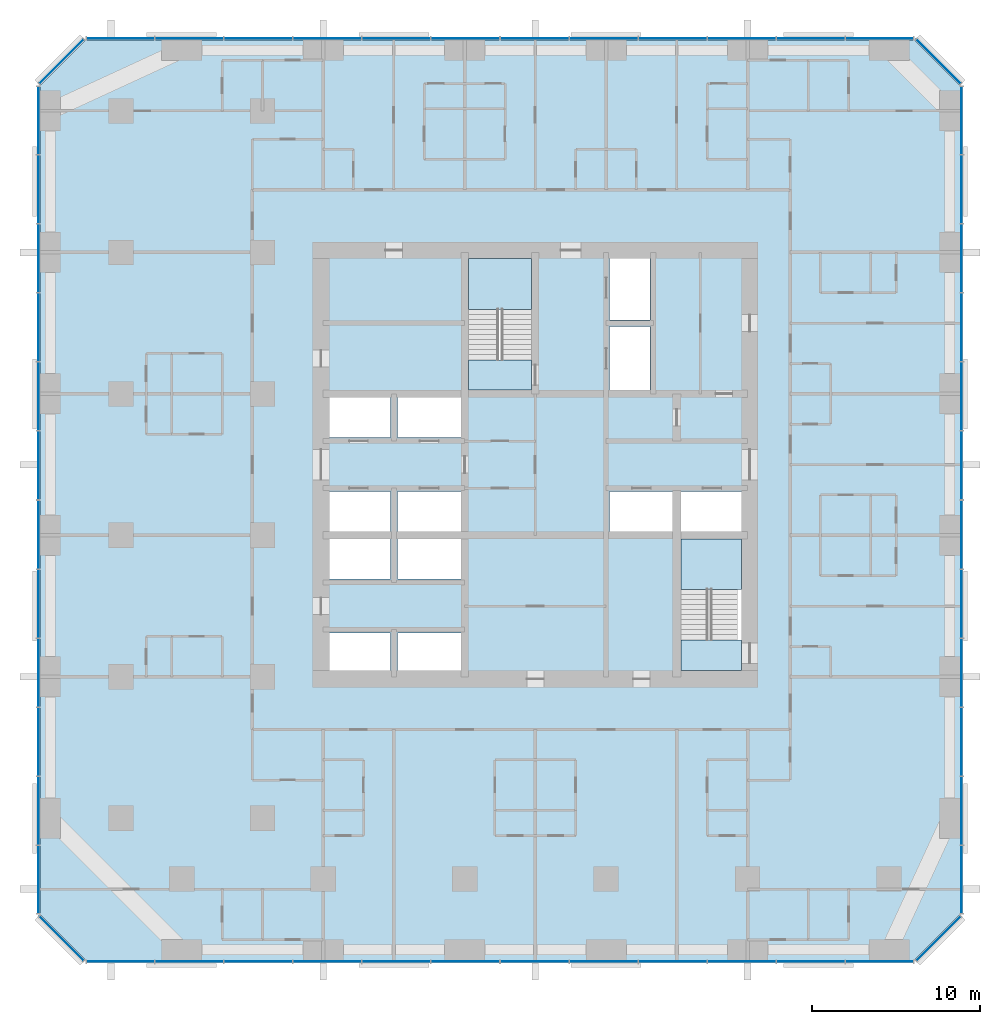
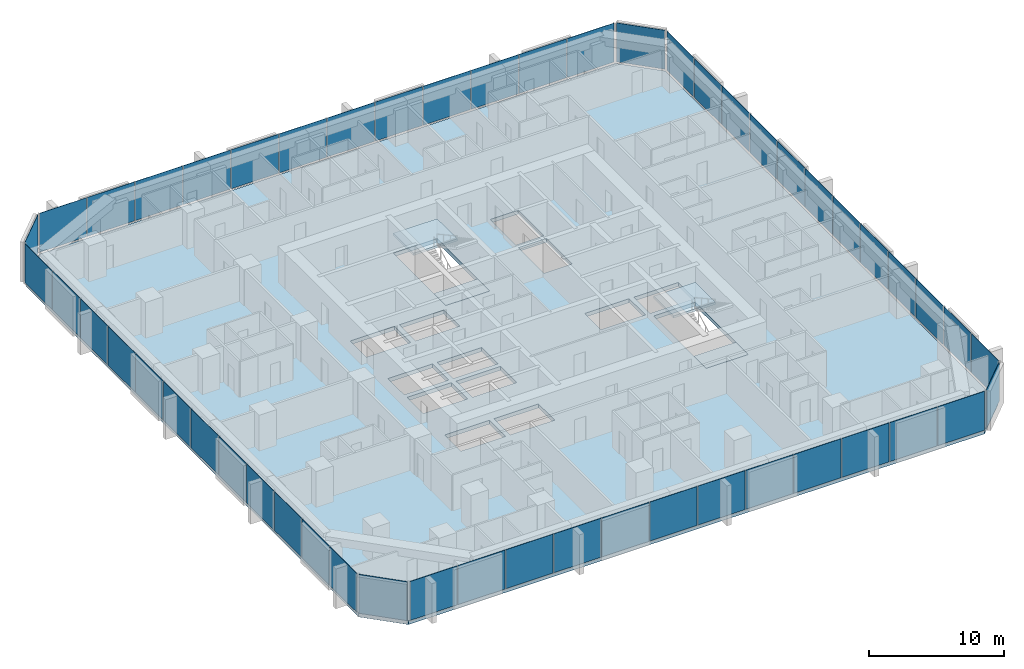
# One storey, part 7 of 14: 52 plates, 5 slabs, 10 elements without a shape of their own.
"""IFC4 building model written with IfcOpenShell, lengths in metres."""

from ifc_helpers import new_model, si_unit, direction, frame, origin, origin_2d, place, context, subcontext, project, spatial, polyline, rectangle, outline, extrude, material, layer, layer_set, type_object, element, aggregate, save


model = new_model("IFC4")

# Units and contexts
model_context = context("Model", 3, precision=1e-05, world=origin(), true_north=direction((0.0, 1.0)))
body_context = subcontext(model_context, "Body", "Model", "MODEL_VIEW")
ifc_project = project(units=[si_unit("LENGTHUNIT", "METRE"), si_unit("AREAUNIT", "SQUARE_METRE"), si_unit("VOLUMEUNIT", "CUBIC_METRE"), si_unit("PLANEANGLEUNIT", "RADIAN"), si_unit("MASSUNIT", "GRAM", prefix="KILO")], contexts=[model_context])

# Site, building, storey
site_placement = place(None, origin())
site = spatial("IfcSite", under=ifc_project, at=site_placement, CompositionType="ELEMENT")
building_placement = place(site_placement, origin())
building = spatial("IfcBuilding", under=site, at=building_placement, Name="Dunama Terrace Hotel", CompositionType="ELEMENT")
storey_placement = place(building_placement, frame((0.0, 0.0, 129.60009765625)))
storey = spatial("IfcBuildingStorey", under=building, at=storey_placement, Name="L33", CompositionType="ELEMENT", Elevation=129.60009765625)

# Curtain wall, plates
ifc_material_1 = material(Name="Aluminium curtain wall system", Category="aluminium")
curtain_wall_type = type_object("IfcCurtainWallType", Name="Unitised fritted glass wall CW-B", PredefinedType="NOTDEFINED", material=ifc_material_1)
curtain_wall_1_placement = place(storey_placement, origin())
curtain_wall_1 = element("IfcCurtainWall", 1, at=curtain_wall_1_placement, inside=storey, type_object=curtain_wall_type, Name="Unitised fritted glass wall CW-B L33", PredefinedType="NOTDEFINED")
ifc_material_2 = material(Name="Laminated glass", Category="glass")
ifc_layer_1 = layer(ifc_material_2, 0.030029296875)
ifc_layer_set_1 = layer_set([ifc_layer_1], Name="CWB clear glass panel")
plate_type_1 = type_object("IfcPlateType", Name="CWB clear glass panel", PredefinedType="CURTAIN_PANEL", material=ifc_layer_set_1)
plate_1_placement = place(storey_placement, frame((12.949951171875, -0.110107421875, 0.079833984375), z_axis=(0.0, 0.0, 1.0), x_axis=(1.0, 0.0, 0.0)))
plate_1 = element("IfcPlate", 2, at=plate_1_placement, type_object=plate_type_1, Name="CWB clear glass panel", PredefinedType="CURTAIN_PANEL", context=body_context, shape_type="SweptSolid", body=[
    extrude(rectangle(XDim=4.034912109375, YDim=0.030029296875, at=origin_2d()), origin(), (0.0, 0.0, 1.0), 3.52001953125),
])
plate_2_placement = place(storey_placement, frame((25.25, -0.110107421875, 0.079833984375), z_axis=(0.0, 0.0, 1.0), x_axis=(1.0, 0.0, 0.0)))
plate_2 = element("IfcPlate", 3, at=plate_2_placement, type_object=plate_type_1, Name="CWB clear glass panel", PredefinedType="CURTAIN_PANEL", context=body_context, shape_type="SweptSolid", body=[
    extrude(rectangle(XDim=4.034912109375, YDim=0.030029296875, at=origin_2d()), origin(), (0.0, 0.0, 1.0), 3.52001953125),
])
plate_3_placement = place(storey_placement, frame((37.550048828125, -0.110107421875, 0.079833984375), z_axis=(0.0, 0.0, 1.0), x_axis=(1.0, 0.0, 0.0)))
plate_3 = element("IfcPlate", 4, at=plate_3_placement, type_object=plate_type_1, Name="CWB clear glass panel", PredefinedType="CURTAIN_PANEL", context=body_context, shape_type="SweptSolid", body=[
    extrude(rectangle(XDim=4.034912109375, YDim=0.030029296875, at=origin_2d()), origin(), (0.0, 0.0, 1.0), 3.52001953125),
])
plate_4_placement = place(storey_placement, frame((49.833984375, -0.110107421875, 0.079833984375), z_axis=(0.0, 0.0, 1.0), x_axis=(1.0, 0.0, 0.0)))
plate_4 = element("IfcPlate", 5, at=plate_4_placement, type_object=plate_type_1, Name="CWB clear glass panel", PredefinedType="CURTAIN_PANEL", context=body_context, shape_type="SweptSolid", body=[
    extrude(rectangle(XDim=4.00244140625, YDim=0.030029296875, at=origin_2d()), origin(), (0.0, 0.0, 1.0), 3.52001953125),
])

curtain_wall_2_placement = place(storey_placement, origin())
curtain_wall_2 = element("IfcCurtainWall", 6, at=curtain_wall_2_placement, inside=storey, type_object=curtain_wall_type, Name="Unitised fritted glass wall CW-B L33", PredefinedType="NOTDEFINED")
plate_5_placement = place(storey_placement, frame((54.7099609375, 8.85009765625, 0.079833984375), z_axis=(0.0, 0.0, 1.0), x_axis=(0.0, 1.0, 0.0)))
plate_5 = element("IfcPlate", 7, at=plate_5_placement, type_object=plate_type_1, Name="CWB clear glass panel", PredefinedType="CURTAIN_PANEL", context=body_context, shape_type="SweptSolid", body=[
    extrude(rectangle(XDim=4.034912109375, YDim=0.030029296875, at=origin_2d()), origin(), (0.0, 0.0, 1.0), 3.52001953125),
])
plate_6_placement = place(storey_placement, frame((54.7099609375, 21.14990234375, 0.079833984375), z_axis=(0.0, 0.0, 1.0), x_axis=(0.0, 1.0, 0.0)))
plate_6 = element("IfcPlate", 8, at=plate_6_placement, type_object=plate_type_1, Name="CWB clear glass panel", PredefinedType="CURTAIN_PANEL", context=body_context, shape_type="SweptSolid", body=[
    extrude(rectangle(XDim=4.034912109375, YDim=0.030029296875, at=origin_2d()), origin(), (0.0, 0.0, 1.0), 3.52001953125),
])
plate_7_placement = place(storey_placement, frame((54.7099609375, 33.449951171875, 0.079833984375), z_axis=(0.0, 0.0, 1.0), x_axis=(0.0, 1.0, 0.0)))
plate_7 = element("IfcPlate", 9, at=plate_7_placement, type_object=plate_type_1, Name="CWB clear glass panel", PredefinedType="CURTAIN_PANEL", context=body_context, shape_type="SweptSolid", body=[
    extrude(rectangle(XDim=4.034912109375, YDim=0.030029296875, at=origin_2d()), origin(), (0.0, 0.0, 1.0), 3.52001953125),
])
plate_8_placement = place(storey_placement, frame((54.7099609375, 45.75, 0.079833984375), z_axis=(0.0, 0.0, 1.0), x_axis=(0.0, 1.0, 0.0)))
plate_8 = element("IfcPlate", 10, at=plate_8_placement, type_object=plate_type_1, Name="CWB clear glass panel", PredefinedType="CURTAIN_PANEL", context=body_context, shape_type="SweptSolid", body=[
    extrude(rectangle(XDim=4.034912109375, YDim=0.030029296875, at=origin_2d()), origin(), (0.0, 0.0, 1.0), 3.52001953125),
])

curtain_wall_3_placement = place(storey_placement, origin())
curtain_wall_3 = element("IfcCurtainWall", 11, at=curtain_wall_3_placement, inside=storey, type_object=curtain_wall_type, Name="Unitised fritted glass wall CW-B L33", PredefinedType="NOTDEFINED")
plate_9_placement = place(storey_placement, frame((49.833984375, 54.7099609375, 0.079833984375), z_axis=(0.0, 0.0, 1.0), x_axis=(-1.0, 0.0, 0.0)))
plate_9 = element("IfcPlate", 12, at=plate_9_placement, type_object=plate_type_1, Name="CWB clear glass panel", PredefinedType="CURTAIN_PANEL", context=body_context, shape_type="SweptSolid", body=[
    extrude(rectangle(XDim=4.00244140625, YDim=0.030029296875, at=origin_2d()), origin(), (0.0, 0.0, 1.0), 3.52001953125),
])
plate_10_placement = place(storey_placement, frame((37.550048828125, 54.7099609375, 0.079833984375), z_axis=(0.0, 0.0, 1.0), x_axis=(-1.0, 0.0, 0.0)))
plate_10 = element("IfcPlate", 13, at=plate_10_placement, type_object=plate_type_1, Name="CWB clear glass panel", PredefinedType="CURTAIN_PANEL", context=body_context, shape_type="SweptSolid", body=[
    extrude(rectangle(XDim=4.034912109375, YDim=0.030029296875, at=origin_2d()), origin(), (0.0, 0.0, 1.0), 3.52001953125),
])
plate_11_placement = place(storey_placement, frame((25.25, 54.7099609375, 0.079833984375), z_axis=(0.0, 0.0, 1.0), x_axis=(-1.0, 0.0, 0.0)))
plate_11 = element("IfcPlate", 14, at=plate_11_placement, type_object=plate_type_1, Name="CWB clear glass panel", PredefinedType="CURTAIN_PANEL", context=body_context, shape_type="SweptSolid", body=[
    extrude(rectangle(XDim=4.034912109375, YDim=0.030029296875, at=origin_2d()), origin(), (0.0, 0.0, 1.0), 3.52001953125),
])
plate_12_placement = place(storey_placement, frame((12.949951171875, 54.7099609375, 0.079833984375), z_axis=(0.0, 0.0, 1.0), x_axis=(-1.0, 0.0, 0.0)))
plate_12 = element("IfcPlate", 15, at=plate_12_placement, type_object=plate_type_1, Name="CWB clear glass panel", PredefinedType="CURTAIN_PANEL", context=body_context, shape_type="SweptSolid", body=[
    extrude(rectangle(XDim=4.034912109375, YDim=0.030029296875, at=origin_2d()), origin(), (0.0, 0.0, 1.0), 3.52001953125),
])

# Curtain wall, plate
curtain_wall_4_placement = place(storey_placement, origin())
curtain_wall_4 = element("IfcCurtainWall", 16, at=curtain_wall_4_placement, inside=storey, type_object=curtain_wall_type, Name="Unitised fritted glass wall CW-B L33", PredefinedType="NOTDEFINED")
plate_13_placement = place(storey_placement, frame((1.27197265625, 53.327880859375, 0.079833984375), z_axis=(0.0, 0.0, 1.0), x_axis=(-0.707106781187, -0.707106781187, 0.0)))
plate_13 = element("IfcPlate", 17, at=plate_13_placement, type_object=plate_type_1, Name="CWB clear glass panel", PredefinedType="CURTAIN_PANEL", context=body_context, shape_type="SweptSolid", body=[
    extrude(rectangle(XDim=3.6884765625, YDim=0.030029296875, at=origin_2d()), origin(), (0.0, 0.0, 1.0), 3.52001953125),
])
aggregate(curtain_wall_4, [plate_13])

# Curtain wall, plates
curtain_wall_5_placement = place(storey_placement, origin())
curtain_wall_5 = element("IfcCurtainWall", 18, at=curtain_wall_5_placement, inside=storey, type_object=curtain_wall_type, Name="Unitised fritted glass wall CW-B L33", PredefinedType="NOTDEFINED")
plate_14_placement = place(storey_placement, frame((-0.110107421875, 41.64990234375, 0.079833984375), z_axis=(0.0, 0.0, 1.0), x_axis=(0.0, -1.0, 0.0)))
plate_14 = element("IfcPlate", 19, at=plate_14_placement, type_object=plate_type_1, Name="CWB clear glass panel", PredefinedType="CURTAIN_PANEL", context=body_context, shape_type="SweptSolid", body=[
    extrude(rectangle(XDim=4.034912109375, YDim=0.030029296875, at=origin_2d()), origin(), (0.0, 0.0, 1.0), 3.52001953125),
])
plate_15_placement = place(storey_placement, frame((-0.110107421875, 29.35009765625, 0.079833984375), z_axis=(0.0, 0.0, 1.0), x_axis=(0.0, -1.0, 0.0)))
plate_15 = element("IfcPlate", 20, at=plate_15_placement, type_object=plate_type_1, Name="CWB clear glass panel", PredefinedType="CURTAIN_PANEL", context=body_context, shape_type="SweptSolid", body=[
    extrude(rectangle(XDim=4.034912109375, YDim=0.030029296875, at=origin_2d()), origin(), (0.0, 0.0, 1.0), 3.52001953125),
])
plate_16_placement = place(storey_placement, frame((-0.110107421875, 17.050048828125, 0.079833984375), z_axis=(0.0, 0.0, 1.0), x_axis=(0.0, -1.0, 0.0)))
plate_16 = element("IfcPlate", 21, at=plate_16_placement, type_object=plate_type_1, Name="CWB clear glass panel", PredefinedType="CURTAIN_PANEL", context=body_context, shape_type="SweptSolid", body=[
    extrude(rectangle(XDim=4.034912109375, YDim=0.030029296875, at=origin_2d()), origin(), (0.0, 0.0, 1.0), 3.52001953125),
])
plate_17_placement = place(storey_placement, frame((-0.110107421875, 4.76611328125, 0.079833984375), z_axis=(0.0, 0.0, 1.0), x_axis=(0.0, -1.0, 0.0)))
plate_17 = element("IfcPlate", 22, at=plate_17_placement, type_object=plate_type_1, Name="CWB clear glass panel", PredefinedType="CURTAIN_PANEL", context=body_context, shape_type="SweptSolid", body=[
    extrude(rectangle(XDim=4.00244140625, YDim=0.030029296875, at=origin_2d()), origin(), (0.0, 0.0, 1.0), 3.52001953125),
])

# Plate
ifc_material_3 = material(Name="Fritted laminated glass", Category="glass")
ifc_layer_2 = layer(ifc_material_3, 0.030029296875)
ifc_layer_set_2 = layer_set([ifc_layer_2], Name="CWB fritted glass panel")
plate_type_2 = type_object("IfcPlateType", Name="CWB fritted glass panel", PredefinedType="CURTAIN_PANEL", material=ifc_layer_set_2)
plate_18_placement = place(storey_placement, frame((8.85009765625, -0.110107421875, 0.079833984375), z_axis=(0.0, 0.0, 1.0), x_axis=(1.0, 0.0, 0.0)))
plate_18 = element("IfcPlate", 23, at=plate_18_placement, type_object=plate_type_2, Name="CWB fritted glass panel", PredefinedType="CURTAIN_PANEL", context=body_context, shape_type="SweptSolid", body=[
    extrude(rectangle(XDim=4.034912109375, YDim=0.030029296875, at=origin_2d()), origin(), (0.0, 0.0, 1.0), 3.52001953125),
])

plate_19_placement = place(storey_placement, frame((21.14990234375, -0.110107421875, 0.079833984375), z_axis=(0.0, 0.0, 1.0), x_axis=(1.0, 0.0, 0.0)))
plate_19 = element("IfcPlate", 24, at=plate_19_placement, type_object=plate_type_2, Name="CWB fritted glass panel", PredefinedType="CURTAIN_PANEL", context=body_context, shape_type="SweptSolid", body=[
    extrude(rectangle(XDim=4.034912109375, YDim=0.030029296875, at=origin_2d()), origin(), (0.0, 0.0, 1.0), 3.52001953125),
])

plate_20_placement = place(storey_placement, frame((33.449951171875, -0.110107421875, 0.079833984375), z_axis=(0.0, 0.0, 1.0), x_axis=(1.0, 0.0, 0.0)))
plate_20 = element("IfcPlate", 25, at=plate_20_placement, type_object=plate_type_2, Name="CWB fritted glass panel", PredefinedType="CURTAIN_PANEL", context=body_context, shape_type="SweptSolid", body=[
    extrude(rectangle(XDim=4.034912109375, YDim=0.030029296875, at=origin_2d()), origin(), (0.0, 0.0, 1.0), 3.52001953125),
])

plate_21_placement = place(storey_placement, frame((45.75, -0.110107421875, 0.079833984375), z_axis=(0.0, 0.0, 1.0), x_axis=(1.0, 0.0, 0.0)))
plate_21 = element("IfcPlate", 26, at=plate_21_placement, type_object=plate_type_2, Name="CWB fritted glass panel", PredefinedType="CURTAIN_PANEL", context=body_context, shape_type="SweptSolid", body=[
    extrude(rectangle(XDim=4.034912109375, YDim=0.030029296875, at=origin_2d()), origin(), (0.0, 0.0, 1.0), 3.52001953125),
])

plate_22_placement = place(storey_placement, frame((54.7099609375, 4.76611328125, 0.079833984375), z_axis=(0.0, 0.0, 1.0), x_axis=(0.0, 1.0, 0.0)))
plate_22 = element("IfcPlate", 27, at=plate_22_placement, type_object=plate_type_2, Name="CWB fritted glass panel", PredefinedType="CURTAIN_PANEL", context=body_context, shape_type="SweptSolid", body=[
    extrude(rectangle(XDim=4.00244140625, YDim=0.030029296875, at=origin_2d()), origin(), (0.0, 0.0, 1.0), 3.52001953125),
])

plate_23_placement = place(storey_placement, frame((54.7099609375, 17.050048828125, 0.079833984375), z_axis=(0.0, 0.0, 1.0), x_axis=(0.0, 1.0, 0.0)))
plate_23 = element("IfcPlate", 28, at=plate_23_placement, type_object=plate_type_2, Name="CWB fritted glass panel", PredefinedType="CURTAIN_PANEL", context=body_context, shape_type="SweptSolid", body=[
    extrude(rectangle(XDim=4.034912109375, YDim=0.030029296875, at=origin_2d()), origin(), (0.0, 0.0, 1.0), 3.52001953125),
])

plate_24_placement = place(storey_placement, frame((54.7099609375, 29.35009765625, 0.079833984375), z_axis=(0.0, 0.0, 1.0), x_axis=(0.0, 1.0, 0.0)))
plate_24 = element("IfcPlate", 29, at=plate_24_placement, type_object=plate_type_2, Name="CWB fritted glass panel", PredefinedType="CURTAIN_PANEL", context=body_context, shape_type="SweptSolid", body=[
    extrude(rectangle(XDim=4.034912109375, YDim=0.030029296875, at=origin_2d()), origin(), (0.0, 0.0, 1.0), 3.52001953125),
])

plate_25_placement = place(storey_placement, frame((54.7099609375, 41.64990234375, 0.079833984375), z_axis=(0.0, 0.0, 1.0), x_axis=(0.0, 1.0, 0.0)))
plate_25 = element("IfcPlate", 30, at=plate_25_placement, type_object=plate_type_2, Name="CWB fritted glass panel", PredefinedType="CURTAIN_PANEL", context=body_context, shape_type="SweptSolid", body=[
    extrude(rectangle(XDim=4.034912109375, YDim=0.030029296875, at=origin_2d()), origin(), (0.0, 0.0, 1.0), 3.52001953125),
])

# Curtain wall, plate
curtain_wall_6_placement = place(storey_placement, origin())
curtain_wall_6 = element("IfcCurtainWall", 31, at=curtain_wall_6_placement, inside=storey, type_object=curtain_wall_type, Name="Unitised fritted glass wall CW-B L33", PredefinedType="NOTDEFINED")
plate_26_placement = place(storey_placement, frame((53.327880859375, 53.327880859375, 0.079833984375), z_axis=(0.0, 0.0, 1.0), x_axis=(-0.707106781187, 0.707106781187, 0.0)))
plate_26 = element("IfcPlate", 32, at=plate_26_placement, type_object=plate_type_2, Name="CWB fritted glass panel", PredefinedType="CURTAIN_PANEL", context=body_context, shape_type="SweptSolid", body=[
    extrude(rectangle(XDim=3.6884765625, YDim=0.030029296875, at=origin_2d()), origin(), (0.0, 0.0, 1.0), 3.52001953125),
])
aggregate(curtain_wall_6, [plate_26])

# Plate
plate_27_placement = place(storey_placement, frame((41.64990234375, 54.7099609375, 0.079833984375), z_axis=(0.0, 0.0, 1.0), x_axis=(-1.0, 0.0, 0.0)))
plate_27 = element("IfcPlate", 33, at=plate_27_placement, type_object=plate_type_2, Name="CWB fritted glass panel", PredefinedType="CURTAIN_PANEL", context=body_context, shape_type="SweptSolid", body=[
    extrude(rectangle(XDim=4.034912109375, YDim=0.030029296875, at=origin_2d()), origin(), (0.0, 0.0, 1.0), 3.52001953125),
])

plate_28_placement = place(storey_placement, frame((29.35009765625, 54.7099609375, 0.079833984375), z_axis=(0.0, 0.0, 1.0), x_axis=(-1.0, 0.0, 0.0)))
plate_28 = element("IfcPlate", 34, at=plate_28_placement, type_object=plate_type_2, Name="CWB fritted glass panel", PredefinedType="CURTAIN_PANEL", context=body_context, shape_type="SweptSolid", body=[
    extrude(rectangle(XDim=4.034912109375, YDim=0.030029296875, at=origin_2d()), origin(), (0.0, 0.0, 1.0), 3.52001953125),
])

plate_29_placement = place(storey_placement, frame((17.050048828125, 54.7099609375, 0.079833984375), z_axis=(0.0, 0.0, 1.0), x_axis=(-1.0, 0.0, 0.0)))
plate_29 = element("IfcPlate", 35, at=plate_29_placement, type_object=plate_type_2, Name="CWB fritted glass panel", PredefinedType="CURTAIN_PANEL", context=body_context, shape_type="SweptSolid", body=[
    extrude(rectangle(XDim=4.034912109375, YDim=0.030029296875, at=origin_2d()), origin(), (0.0, 0.0, 1.0), 3.52001953125),
])

plate_30_placement = place(storey_placement, frame((4.76611328125, 54.7099609375, 0.079833984375), z_axis=(0.0, 0.0, 1.0), x_axis=(-1.0, 0.0, 0.0)))
plate_30 = element("IfcPlate", 36, at=plate_30_placement, type_object=plate_type_2, Name="CWB fritted glass panel", PredefinedType="CURTAIN_PANEL", context=body_context, shape_type="SweptSolid", body=[
    extrude(rectangle(XDim=4.00244140625, YDim=0.030029296875, at=origin_2d()), origin(), (0.0, 0.0, 1.0), 3.52001953125),
])

plate_31_placement = place(storey_placement, frame((-0.110107421875, 45.75, 0.079833984375), z_axis=(0.0, 0.0, 1.0), x_axis=(0.0, -1.0, 0.0)))
plate_31 = element("IfcPlate", 37, at=plate_31_placement, type_object=plate_type_2, Name="CWB fritted glass panel", PredefinedType="CURTAIN_PANEL", context=body_context, shape_type="SweptSolid", body=[
    extrude(rectangle(XDim=4.034912109375, YDim=0.030029296875, at=origin_2d()), origin(), (0.0, 0.0, 1.0), 3.52001953125),
])

plate_32_placement = place(storey_placement, frame((-0.110107421875, 33.449951171875, 0.079833984375), z_axis=(0.0, 0.0, 1.0), x_axis=(0.0, -1.0, 0.0)))
plate_32 = element("IfcPlate", 38, at=plate_32_placement, type_object=plate_type_2, Name="CWB fritted glass panel", PredefinedType="CURTAIN_PANEL", context=body_context, shape_type="SweptSolid", body=[
    extrude(rectangle(XDim=4.034912109375, YDim=0.030029296875, at=origin_2d()), origin(), (0.0, 0.0, 1.0), 3.52001953125),
])

plate_33_placement = place(storey_placement, frame((-0.110107421875, 21.14990234375, 0.079833984375), z_axis=(0.0, 0.0, 1.0), x_axis=(0.0, -1.0, 0.0)))
plate_33 = element("IfcPlate", 39, at=plate_33_placement, type_object=plate_type_2, Name="CWB fritted glass panel", PredefinedType="CURTAIN_PANEL", context=body_context, shape_type="SweptSolid", body=[
    extrude(rectangle(XDim=4.034912109375, YDim=0.030029296875, at=origin_2d()), origin(), (0.0, 0.0, 1.0), 3.52001953125),
])

plate_34_placement = place(storey_placement, frame((-0.110107421875, 8.85009765625, 0.079833984375), z_axis=(0.0, 0.0, 1.0), x_axis=(0.0, -1.0, 0.0)))
plate_34 = element("IfcPlate", 40, at=plate_34_placement, type_object=plate_type_2, Name="CWB fritted glass panel", PredefinedType="CURTAIN_PANEL", context=body_context, shape_type="SweptSolid", body=[
    extrude(rectangle(XDim=4.034912109375, YDim=0.030029296875, at=origin_2d()), origin(), (0.0, 0.0, 1.0), 3.52001953125),
])

ifc_material_4 = material(Name="Laminated glass", Category="glass")
ifc_layer_3 = layer(ifc_material_4, 0.030029296875)
ifc_layer_set_3 = layer_set([ifc_layer_3], Name="CWB operable glass panel")
plate_type_3 = type_object("IfcPlateType", Name="CWB operable glass panel", PredefinedType="CURTAIN_PANEL", material=ifc_layer_set_3)
plate_35_placement = place(storey_placement, frame((4.76611328125, -0.110107421875, 0.079833984375), z_axis=(0.0, 0.0, 1.0), x_axis=(1.0, 0.0, 0.0)))
plate_35 = element("IfcPlate", 41, at=plate_35_placement, type_object=plate_type_3, Name="CWB operable glass panel", PredefinedType="CURTAIN_PANEL", context=body_context, shape_type="SweptSolid", body=[
    extrude(rectangle(XDim=4.00244140625, YDim=0.030029296875, at=origin_2d()), origin(), (0.0, 0.0, 1.0), 3.52001953125),
])

plate_36_placement = place(storey_placement, frame((17.050048828125, -0.110107421875, 0.079833984375), z_axis=(0.0, 0.0, 1.0), x_axis=(1.0, 0.0, 0.0)))
plate_36 = element("IfcPlate", 42, at=plate_36_placement, type_object=plate_type_3, Name="CWB operable glass panel", PredefinedType="CURTAIN_PANEL", context=body_context, shape_type="SweptSolid", body=[
    extrude(rectangle(XDim=4.034912109375, YDim=0.030029296875, at=origin_2d()), origin(), (0.0, 0.0, 1.0), 3.52001953125),
])

plate_37_placement = place(storey_placement, frame((29.35009765625, -0.110107421875, 0.079833984375), z_axis=(0.0, 0.0, 1.0), x_axis=(1.0, 0.0, 0.0)))
plate_37 = element("IfcPlate", 43, at=plate_37_placement, type_object=plate_type_3, Name="CWB operable glass panel", PredefinedType="CURTAIN_PANEL", context=body_context, shape_type="SweptSolid", body=[
    extrude(rectangle(XDim=4.034912109375, YDim=0.030029296875, at=origin_2d()), origin(), (0.0, 0.0, 1.0), 3.52001953125),
])

plate_38_placement = place(storey_placement, frame((41.64990234375, -0.110107421875, 0.079833984375), z_axis=(0.0, 0.0, 1.0), x_axis=(1.0, 0.0, 0.0)))
plate_38 = element("IfcPlate", 44, at=plate_38_placement, type_object=plate_type_3, Name="CWB operable glass panel", PredefinedType="CURTAIN_PANEL", context=body_context, shape_type="SweptSolid", body=[
    extrude(rectangle(XDim=4.034912109375, YDim=0.030029296875, at=origin_2d()), origin(), (0.0, 0.0, 1.0), 3.52001953125),
])

aggregate(curtain_wall_1, [plate_35, plate_18, plate_1, plate_36, plate_19, plate_2, plate_37, plate_20, plate_3, plate_38, plate_21, plate_4])

# Curtain wall, plate
curtain_wall_7_placement = place(storey_placement, origin())
curtain_wall_7 = element("IfcCurtainWall", 45, at=curtain_wall_7_placement, inside=storey, type_object=curtain_wall_type, Name="Unitised fritted glass wall CW-B L33", PredefinedType="NOTDEFINED")
plate_39_placement = place(storey_placement, frame((53.327880859375, 1.27197265625, 0.079833984375), z_axis=(0.0, 0.0, 1.0), x_axis=(0.707106781187, 0.707106781187, 0.0)))
plate_39 = element("IfcPlate", 46, at=plate_39_placement, type_object=plate_type_3, Name="CWB operable glass panel", PredefinedType="CURTAIN_PANEL", context=body_context, shape_type="SweptSolid", body=[
    extrude(rectangle(XDim=3.6884765625, YDim=0.030029296875, at=origin_2d()), origin(), (0.0, 0.0, 1.0), 3.52001953125),
])
aggregate(curtain_wall_7, [plate_39])

# Plate
plate_40_placement = place(storey_placement, frame((54.7099609375, 12.949951171875, 0.079833984375), z_axis=(0.0, 0.0, 1.0), x_axis=(0.0, 1.0, 0.0)))
plate_40 = element("IfcPlate", 47, at=plate_40_placement, type_object=plate_type_3, Name="CWB operable glass panel", PredefinedType="CURTAIN_PANEL", context=body_context, shape_type="SweptSolid", body=[
    extrude(rectangle(XDim=4.034912109375, YDim=0.030029296875, at=origin_2d()), origin(), (0.0, 0.0, 1.0), 3.52001953125),
])

plate_41_placement = place(storey_placement, frame((54.7099609375, 25.25, 0.079833984375), z_axis=(0.0, 0.0, 1.0), x_axis=(0.0, 1.0, 0.0)))
plate_41 = element("IfcPlate", 48, at=plate_41_placement, type_object=plate_type_3, Name="CWB operable glass panel", PredefinedType="CURTAIN_PANEL", context=body_context, shape_type="SweptSolid", body=[
    extrude(rectangle(XDim=4.034912109375, YDim=0.030029296875, at=origin_2d()), origin(), (0.0, 0.0, 1.0), 3.52001953125),
])

plate_42_placement = place(storey_placement, frame((54.7099609375, 37.550048828125, 0.079833984375), z_axis=(0.0, 0.0, 1.0), x_axis=(0.0, 1.0, 0.0)))
plate_42 = element("IfcPlate", 49, at=plate_42_placement, type_object=plate_type_3, Name="CWB operable glass panel", PredefinedType="CURTAIN_PANEL", context=body_context, shape_type="SweptSolid", body=[
    extrude(rectangle(XDim=4.034912109375, YDim=0.030029296875, at=origin_2d()), origin(), (0.0, 0.0, 1.0), 3.52001953125),
])

plate_43_placement = place(storey_placement, frame((54.7099609375, 49.833984375, 0.079833984375), z_axis=(0.0, 0.0, 1.0), x_axis=(0.0, 1.0, 0.0)))
plate_43 = element("IfcPlate", 50, at=plate_43_placement, type_object=plate_type_3, Name="CWB operable glass panel", PredefinedType="CURTAIN_PANEL", context=body_context, shape_type="SweptSolid", body=[
    extrude(rectangle(XDim=4.00244140625, YDim=0.030029296875, at=origin_2d()), origin(), (0.0, 0.0, 1.0), 3.52001953125),
])

aggregate(curtain_wall_2, [plate_22, plate_5, plate_40, plate_23, plate_6, plate_41, plate_24, plate_7, plate_42, plate_25, plate_8, plate_43])

plate_44_placement = place(storey_placement, frame((45.75, 54.7099609375, 0.079833984375), z_axis=(0.0, 0.0, 1.0), x_axis=(-1.0, 0.0, 0.0)))
plate_44 = element("IfcPlate", 51, at=plate_44_placement, type_object=plate_type_3, Name="CWB operable glass panel", PredefinedType="CURTAIN_PANEL", context=body_context, shape_type="SweptSolid", body=[
    extrude(rectangle(XDim=4.034912109375, YDim=0.030029296875, at=origin_2d()), origin(), (0.0, 0.0, 1.0), 3.52001953125),
])

plate_45_placement = place(storey_placement, frame((33.449951171875, 54.7099609375, 0.079833984375), z_axis=(0.0, 0.0, 1.0), x_axis=(-1.0, 0.0, 0.0)))
plate_45 = element("IfcPlate", 52, at=plate_45_placement, type_object=plate_type_3, Name="CWB operable glass panel", PredefinedType="CURTAIN_PANEL", context=body_context, shape_type="SweptSolid", body=[
    extrude(rectangle(XDim=4.034912109375, YDim=0.030029296875, at=origin_2d()), origin(), (0.0, 0.0, 1.0), 3.52001953125),
])

plate_46_placement = place(storey_placement, frame((21.14990234375, 54.7099609375, 0.079833984375), z_axis=(0.0, 0.0, 1.0), x_axis=(-1.0, 0.0, 0.0)))
plate_46 = element("IfcPlate", 53, at=plate_46_placement, type_object=plate_type_3, Name="CWB operable glass panel", PredefinedType="CURTAIN_PANEL", context=body_context, shape_type="SweptSolid", body=[
    extrude(rectangle(XDim=4.034912109375, YDim=0.030029296875, at=origin_2d()), origin(), (0.0, 0.0, 1.0), 3.52001953125),
])

plate_47_placement = place(storey_placement, frame((8.85009765625, 54.7099609375, 0.079833984375), z_axis=(0.0, 0.0, 1.0), x_axis=(-1.0, 0.0, 0.0)))
plate_47 = element("IfcPlate", 54, at=plate_47_placement, type_object=plate_type_3, Name="CWB operable glass panel", PredefinedType="CURTAIN_PANEL", context=body_context, shape_type="SweptSolid", body=[
    extrude(rectangle(XDim=4.034912109375, YDim=0.030029296875, at=origin_2d()), origin(), (0.0, 0.0, 1.0), 3.52001953125),
])

aggregate(curtain_wall_3, [plate_9, plate_44, plate_27, plate_10, plate_45, plate_28, plate_11, plate_46, plate_29, plate_12, plate_47, plate_30])

plate_48_placement = place(storey_placement, frame((-0.110107421875, 49.833984375, 0.079833984375), z_axis=(0.0, 0.0, 1.0), x_axis=(0.0, -1.0, 0.0)))
plate_48 = element("IfcPlate", 55, at=plate_48_placement, type_object=plate_type_3, Name="CWB operable glass panel", PredefinedType="CURTAIN_PANEL", context=body_context, shape_type="SweptSolid", body=[
    extrude(rectangle(XDim=4.00244140625, YDim=0.030029296875, at=origin_2d()), origin(), (0.0, 0.0, 1.0), 3.52001953125),
])

plate_49_placement = place(storey_placement, frame((-0.110107421875, 37.550048828125, 0.079833984375), z_axis=(0.0, 0.0, 1.0), x_axis=(0.0, -1.0, 0.0)))
plate_49 = element("IfcPlate", 56, at=plate_49_placement, type_object=plate_type_3, Name="CWB operable glass panel", PredefinedType="CURTAIN_PANEL", context=body_context, shape_type="SweptSolid", body=[
    extrude(rectangle(XDim=4.034912109375, YDim=0.030029296875, at=origin_2d()), origin(), (0.0, 0.0, 1.0), 3.52001953125),
])

plate_50_placement = place(storey_placement, frame((-0.110107421875, 25.25, 0.079833984375), z_axis=(0.0, 0.0, 1.0), x_axis=(0.0, -1.0, 0.0)))
plate_50 = element("IfcPlate", 57, at=plate_50_placement, type_object=plate_type_3, Name="CWB operable glass panel", PredefinedType="CURTAIN_PANEL", context=body_context, shape_type="SweptSolid", body=[
    extrude(rectangle(XDim=4.034912109375, YDim=0.030029296875, at=origin_2d()), origin(), (0.0, 0.0, 1.0), 3.52001953125),
])

plate_51_placement = place(storey_placement, frame((-0.110107421875, 12.949951171875, 0.079833984375), z_axis=(0.0, 0.0, 1.0), x_axis=(0.0, -1.0, 0.0)))
plate_51 = element("IfcPlate", 58, at=plate_51_placement, type_object=plate_type_3, Name="CWB operable glass panel", PredefinedType="CURTAIN_PANEL", context=body_context, shape_type="SweptSolid", body=[
    extrude(rectangle(XDim=4.034912109375, YDim=0.030029296875, at=origin_2d()), origin(), (0.0, 0.0, 1.0), 3.52001953125),
])

aggregate(curtain_wall_5, [plate_48, plate_31, plate_14, plate_49, plate_32, plate_15, plate_50, plate_33, plate_16, plate_51, plate_34, plate_17])

# Curtain wall, plate
curtain_wall_8_placement = place(storey_placement, origin())
curtain_wall_8 = element("IfcCurtainWall", 59, at=curtain_wall_8_placement, inside=storey, type_object=curtain_wall_type, Name="Unitised fritted glass wall CW-B L33", PredefinedType="NOTDEFINED")
plate_52_placement = place(storey_placement, frame((1.27197265625, 1.27197265625, 0.079833984375), z_axis=(0.0, 0.0, 1.0), x_axis=(0.707106781187, -0.707106781187, 0.0)))
plate_52 = element("IfcPlate", 60, at=plate_52_placement, type_object=plate_type_3, Name="CWB operable glass panel", PredefinedType="CURTAIN_PANEL", context=body_context, shape_type="SweptSolid", body=[
    extrude(rectangle(XDim=3.6884765625, YDim=0.030029296875, at=origin_2d()), origin(), (0.0, 0.0, 1.0), 3.52001953125),
])
aggregate(curtain_wall_8, [plate_52])

# Slab
ifc_material_5 = material(Name="Concrete C40/50", Category="concrete")
ifc_layer_4 = layer(ifc_material_5, 0.35009765625)
ifc_layer_set_4 = layer_set([ifc_layer_4], Name="Flat plate 350")
slab_type_1 = type_object("IfcSlabType", Name="Flat plate 350", PredefinedType="FLOOR", material=ifc_layer_set_4)
slab_1_placement = place(storey_placement, frame((0.0, 0.0, -0.35009765625)))
element("IfcSlab", 61, at=slab_1_placement, inside=storey, type_object=slab_type_1, Name="Floor slab L33", PredefinedType="FLOOR", context=body_context, shape_type="SweptSolid", body=[
    extrude(outline(polyline([(2.699951171875, 0.0), (51.89990234375, 0.0), (54.60009765625, 2.699951171875), (54.60009765625, 51.89990234375), (51.89990234375, 54.60009765625), (2.699951171875, 54.60009765625), (0.0, 51.89990234375), (0.0, 2.699951171875), (2.699951171875, 0.0)]), holes=[polyline([(37.60009765625, 25.39990234375), (37.60009765625, 27.800048828125), (33.800048828125, 27.800048828125), (33.800048828125, 25.39990234375), (37.60009765625, 25.39990234375)]), polyline([(41.800048828125, 25.39990234375), (41.800048828125, 27.800048828125), (38.0, 27.800048828125), (38.0, 25.39990234375), (41.800048828125, 25.39990234375)]), polyline([(20.800048828125, 17.0), (20.800048828125, 19.39990234375), (17.0, 19.39990234375), (17.0, 17.0), (20.800048828125, 17.0)]), polyline([(25.0, 17.0), (25.0, 19.39990234375), (21.199951171875, 19.39990234375), (21.199951171875, 17.0), (25.0, 17.0)]), polyline([(20.800048828125, 22.60009765625), (20.800048828125, 25.0), (17.0, 25.0), (17.0, 22.60009765625), (20.800048828125, 22.60009765625)]), polyline([(25.0, 22.60009765625), (25.0, 25.0), (21.199951171875, 25.0), (21.199951171875, 22.60009765625), (25.0, 22.60009765625)]), polyline([(20.800048828125, 25.39990234375), (20.800048828125, 27.800048828125), (17.0, 27.800048828125), (17.0, 25.39990234375), (20.800048828125, 25.39990234375)]), polyline([(25.0, 25.39990234375), (25.0, 27.800048828125), (21.199951171875, 27.800048828125), (21.199951171875, 25.39990234375), (25.0, 25.39990234375)]), polyline([(20.800048828125, 31.0), (20.800048828125, 33.39990234375), (17.0, 33.39990234375), (17.0, 31.0), (20.800048828125, 31.0)]), polyline([(25.0, 31.0), (25.0, 33.39990234375), (21.199951171875, 33.39990234375), (21.199951171875, 31.0), (25.0, 31.0)]), polyline([(36.199951171875, 38.0), (36.199951171875, 41.800048828125), (33.800048828125, 41.800048828125), (33.800048828125, 38.0), (36.199951171875, 38.0)]), polyline([(36.199951171875, 33.800048828125), (36.199951171875, 37.60009765625), (33.800048828125, 37.60009765625), (33.800048828125, 33.800048828125), (36.199951171875, 33.800048828125)]), polyline([(29.175048828125, 33.824951171875), (29.175048828125, 41.625), (25.425048828125, 41.625), (25.425048828125, 33.824951171875), (29.175048828125, 33.824951171875)]), polyline([(41.625, 17.175048828125), (41.625, 24.97509765625), (38.050048828125, 24.97509765625), (38.050048828125, 17.175048828125), (41.625, 17.175048828125)])]), origin(), (0.0, 0.0, 1.0), 0.35009765625),
])

# Stair, slabs
ifc_material_6 = material(Name="Concrete C40/50", Category="concrete")
stair_type_1 = type_object("IfcStairType", Name="Stair ST1-3600-1800", PredefinedType="HALF_TURN_STAIR", material=ifc_material_6)
stair_1_placement = place(storey_placement, origin())
stair_1 = element("IfcStair", 62, at=stair_1_placement, inside=storey, type_object=stair_type_1, Name="Stair ST1 L33", PredefinedType="HALF_TURN_STAIR")
ifc_material_7 = material(Name="Concrete C40/50", Category="concrete")
ifc_layer_5 = layer(ifc_material_7, 0.199951171875)
ifc_layer_set_5 = layer_set([ifc_layer_5], Name="Stair landing 200")
slab_type_2 = type_object("IfcSlabType", Name="Stair landing 200", PredefinedType="LANDING", material=ifc_layer_set_5)
slab_2_placement = place(storey_placement, frame((0.0, 0.0, -0.2001953125)))
slab_2 = element("IfcSlab", 63, at=slab_2_placement, type_object=slab_type_2, Name="ST1 landing 1, type S10", PredefinedType="LANDING", context=body_context, shape_type="SweptSolid", body=[
    extrude(outline(polyline([(25.425048828125, 33.824951171875), (29.175048828125, 33.824951171875), (29.175048828125, 35.625), (25.425048828125, 35.625), (25.425048828125, 33.824951171875)])), origin(), (0.0, 0.0, 1.0), 0.2001953125),
])
slab_3_placement = place(storey_placement, frame((0.0, 0.0, 1.599853515625)))
slab_3 = element("IfcSlab", 64, at=slab_3_placement, type_object=slab_type_2, Name="ST1 landing 2, type S10", PredefinedType="LANDING", context=body_context, shape_type="SweptSolid", body=[
    extrude(outline(polyline([(25.425048828125, 38.625), (29.175048828125, 38.625), (29.175048828125, 41.625), (25.425048828125, 41.625), (25.425048828125, 38.625)])), origin(), (0.0, 0.0, 1.0), 0.199951171875),
])
aggregate(stair_1, [slab_2, slab_3])

ifc_material_8 = material(Name="Concrete C40/50", Category="concrete")
stair_type_2 = type_object("IfcStairType", Name="Stair ST2-3600-1600", PredefinedType="HALF_TURN_STAIR", material=ifc_material_8)
stair_2_placement = place(storey_placement, origin())
stair_2 = element("IfcStair", 65, at=stair_2_placement, inside=storey, type_object=stair_type_2, Name="Stair ST2 L33", PredefinedType="HALF_TURN_STAIR")
slab_4_placement = place(storey_placement, frame((0.0, 0.0, -0.2001953125)))
slab_4 = element("IfcSlab", 66, at=slab_4_placement, type_object=slab_type_2, Name="ST2 landing 1, type S10", PredefinedType="LANDING", context=body_context, shape_type="SweptSolid", body=[
    extrude(outline(polyline([(38.050048828125, 17.175048828125), (41.625, 17.175048828125), (41.625, 19.0), (38.050048828125, 19.0), (38.050048828125, 17.175048828125)])), origin(), (0.0, 0.0, 1.0), 0.2001953125),
])
slab_5_placement = place(storey_placement, frame((0.0, 0.0, 1.599853515625)))
slab_5 = element("IfcSlab", 67, at=slab_5_placement, type_object=slab_type_2, Name="ST2 landing 2, type S10", PredefinedType="LANDING", context=body_context, shape_type="SweptSolid", body=[
    extrude(outline(polyline([(38.050048828125, 22.0), (41.625, 22.0), (41.625, 24.97509765625), (38.050048828125, 24.97509765625), (38.050048828125, 22.0)])), origin(), (0.0, 0.0, 1.0), 0.199951171875),
])
aggregate(stair_2, [slab_4, slab_5])

save(model, "model.ifc")
